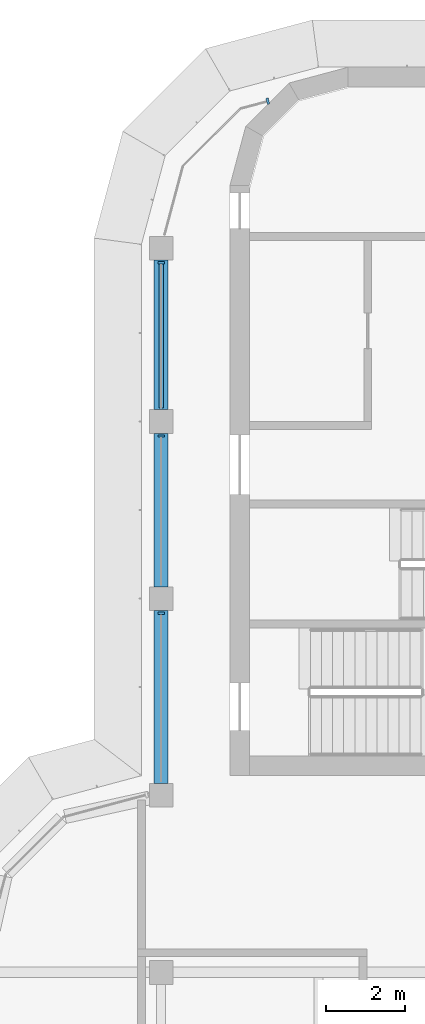
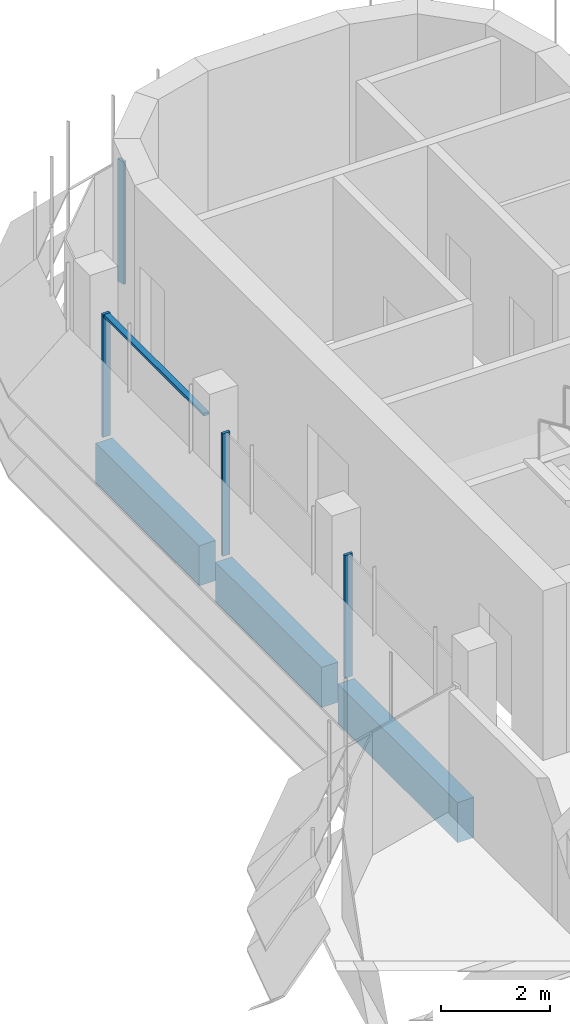
# One storey, part 7 of 19: 5 members, 3 beams, 2 elements without a shape of their own.
"""IFC4 building model written with IfcOpenShell, lengths in metres."""

from ifc_helpers import new_model, si_unit, direction, frame, origin, origin_2d, place, context, subcontext, project, spatial, polyline, rectangle, outline, extrude, source, transform, mapped, material, material_profile, profile_set, type_object, element, aggregate, save


model = new_model("IFC4")

# Units and contexts
model_context = context("Model", 3, precision=1e-05, world=origin(), true_north=direction((0.0, 1.0)))
body_context = subcontext(model_context, "Body", "Model", "MODEL_VIEW")
ifc_project = project(units=[si_unit("LENGTHUNIT", "METRE"), si_unit("AREAUNIT", "SQUARE_METRE"), si_unit("VOLUMEUNIT", "CUBIC_METRE"), si_unit("PLANEANGLEUNIT", "RADIAN"), si_unit("MASSUNIT", "GRAM", prefix="KILO")], contexts=[model_context])

# Site, building, storey
site_placement = place(None, origin())
site = spatial("IfcSite", under=ifc_project, at=site_placement, CompositionType="ELEMENT")
building_placement = place(site_placement, origin())
building = spatial("IfcBuilding", under=site, at=building_placement, Name="Zarbagh Exchange Tower", CompositionType="ELEMENT")
storey_placement = place(building_placement, frame((0.0, 0.0, 280.199951171875)))
storey = spatial("IfcBuildingStorey", under=building, at=storey_placement, Name="L69", CompositionType="ELEMENT", Elevation=280.199951171875)

# Beams
ifc_material_1 = material(Name="Concrete C40/50", Category="concrete")
ifc_material_profile = material_profile(ifc_material_1, rectangle(XDim=0.35009765625, YDim=0.89990234375, at=origin_2d()), Name="RC spandrel beam 350 x 900 C40/50")
ifc_profile_set = profile_set([ifc_material_profile], Name="Concrete C40/50")
beam_type = type_object("IfcBeamType", Name="RC spandrel beam 350 x 900 C40/50", PredefinedType="SPANDREL", material=ifc_profile_set)
beam_1_placement = place(storey_placement, frame((-6.25, 11.050048828125, -0.599853515625), z_axis=(0.0, 1.0, 0.0), x_axis=(-1.0, 0.0, 0.0)))
element("IfcBeam", 1, at=beam_1_placement, inside=storey, type_object=beam_type, Name="RC spandrel beam", PredefinedType="SPANDREL", context=body_context, shape_type="SweptSolid", body=[
    extrude(rectangle(XDim=0.35009765625, YDim=0.89990234375, at=origin_2d()), origin(), (0.0, 0.0, 1.0), 4.39990234375),
])
beam_2_placement = place(storey_placement, frame((-6.25, 16.050048828125, -0.599853515625), z_axis=(0.0, 1.0, 0.0), x_axis=(-1.0, 0.0, 0.0)))
element("IfcBeam", 2, at=beam_2_placement, inside=storey, type_object=beam_type, Name="RC spandrel beam", PredefinedType="SPANDREL", context=body_context, shape_type="SweptSolid", body=[
    extrude(rectangle(XDim=0.35009765625, YDim=0.89990234375, at=origin_2d()), origin(), (0.0, 0.0, 1.0), 3.89990234375),
])
beam_3_placement = place(storey_placement, frame((-6.25, 20.550048828125, -0.599853515625), z_axis=(0.0, 1.0, 0.0), x_axis=(-1.0, 0.0, 0.0)))
element("IfcBeam", 3, at=beam_3_placement, inside=storey, type_object=beam_type, Name="RC spandrel beam", PredefinedType="SPANDREL", context=body_context, shape_type="SweptSolid", body=[
    extrude(rectangle(XDim=0.35009765625, YDim=0.89990234375, at=origin_2d()), origin(), (0.0, 0.0, 1.0), 3.800048828125),
])

# Curtain wall, member
ifc_material_2 = material(Name="Anodised aluminium frame and glazing", Category="aluminium")
curtain_wall_type = type_object("IfcCurtainWallType", Name="CWB Ribbon glazing, upper zones", PredefinedType="NOTDEFINED", material=ifc_material_2)
curtain_wall_1_placement = place(storey_placement, origin())
curtain_wall_1 = element("IfcCurtainWall", 4, at=curtain_wall_1_placement, inside=storey, type_object=curtain_wall_type, Name="CWB70 curtain wall", PredefinedType="NOTDEFINED")
ifc_material_3 = material(Name="Anodised aluminium frame", Category="aluminium")
member_type_1 = type_object("IfcMemberType", Name="MUB Mullion, anodised aluminium frame", PredefinedType="MULLION", material=ifc_material_3)
shared_shape_1 = source(origin(), body_context, "Body", "SweptSolid", [
    extrude(outline(polyline([(0.0, -0.080078125), (0.06005859375, -0.080078125), (0.06005859375, 0.080078125), (0.0, 0.080078125), (0.0, -0.080078125)])), origin(), (0.0, 0.0, 1.0), 2.75),
])
placement = place(storey_placement, origin())
member_1 = element("IfcMember", 5, at=placement, type_object=member_type_1, Name="CWB70 mullion 1.1", PredefinedType="MULLION", context=body_context, shape_type="MappedRepresentation", body=[
    mapped(shared_shape_1, transform((-3.510009765625, 28.394775390625, 0.0), x_axis=(-0.965924289636, -0.258824779902, 0.0), y_axis=(0.258824779902, -0.965924289636, 0.0), z_axis=(0.0, 0.0, 1.0))),
])
aggregate(curtain_wall_1, [member_1])

# Curtain wall, members
curtain_wall_2_placement = place(storey_placement, origin())
curtain_wall_2 = element("IfcCurtainWall", 6, at=curtain_wall_2_placement, inside=storey, type_object=curtain_wall_type, Name="CWB73 curtain wall", PredefinedType="NOTDEFINED")
member_2 = element("IfcMember", 7, at=placement, type_object=member_type_1, Name="CWB73 mullion 1.1", PredefinedType="MULLION", context=body_context, shape_type="MappedRepresentation", body=[
    mapped(shared_shape_1, transform((-6.25, 24.31005859375, 0.0), x_axis=(0.0, -1.0, 0.0), y_axis=(1.0, 0.0, 0.0), z_axis=(0.0, 0.0, 1.0))),
])
member_3 = element("IfcMember", 8, at=placement, type_object=member_type_1, Name="CWB73 mullion 2.1", PredefinedType="MULLION", context=body_context, shape_type="MappedRepresentation", body=[
    mapped(shared_shape_1, transform((-6.25, 19.909912109375, 0.0), x_axis=(0.0, -1.0, 0.0), y_axis=(1.0, 0.0, 0.0), z_axis=(0.0, 0.0, 1.0))),
])
member_4 = element("IfcMember", 9, at=placement, type_object=member_type_1, Name="CWB73 mullion 3.1", PredefinedType="MULLION", context=body_context, shape_type="MappedRepresentation", body=[
    mapped(shared_shape_1, transform((-6.25, 15.409912109375, 0.0), x_axis=(0.0, -1.0, 0.0), y_axis=(1.0, 0.0, 0.0), z_axis=(0.0, 0.0, 1.0))),
])
member_type_2 = type_object("IfcMemberType", Name="TRB Transom, anodised aluminium frame", PredefinedType="USERDEFINED", material=ifc_material_3)
shared_shape_2 = source(origin(), body_context, "Body", "SweptSolid", [
    extrude(outline(polyline([(-0.06005859375, -0.06005859375), (0.0, -0.06005859375), (0.0, 0.06005859375), (-0.06005859375, 0.06005859375), (-0.06005859375, -0.06005859375)])), origin(), (0.0, 0.0, 1.0), 3.659912109375),
])
member_5 = element("IfcMember", 10, at=placement, type_object=member_type_2, Name="CWB73 transom 1.1", ObjectType="TRANSOM", PredefinedType="USERDEFINED", context=body_context, shape_type="MappedRepresentation", body=[
    mapped(shared_shape_2, transform((-6.25, 24.25, 2.75), x_axis=(0.0, 0.0, 1.0), y_axis=(-1.0, 0.0, 0.0), z_axis=(0.0, -1.0, 0.0))),
])
aggregate(curtain_wall_2, [member_2, member_5, member_3, member_4])

save(model, "model.ifc")
